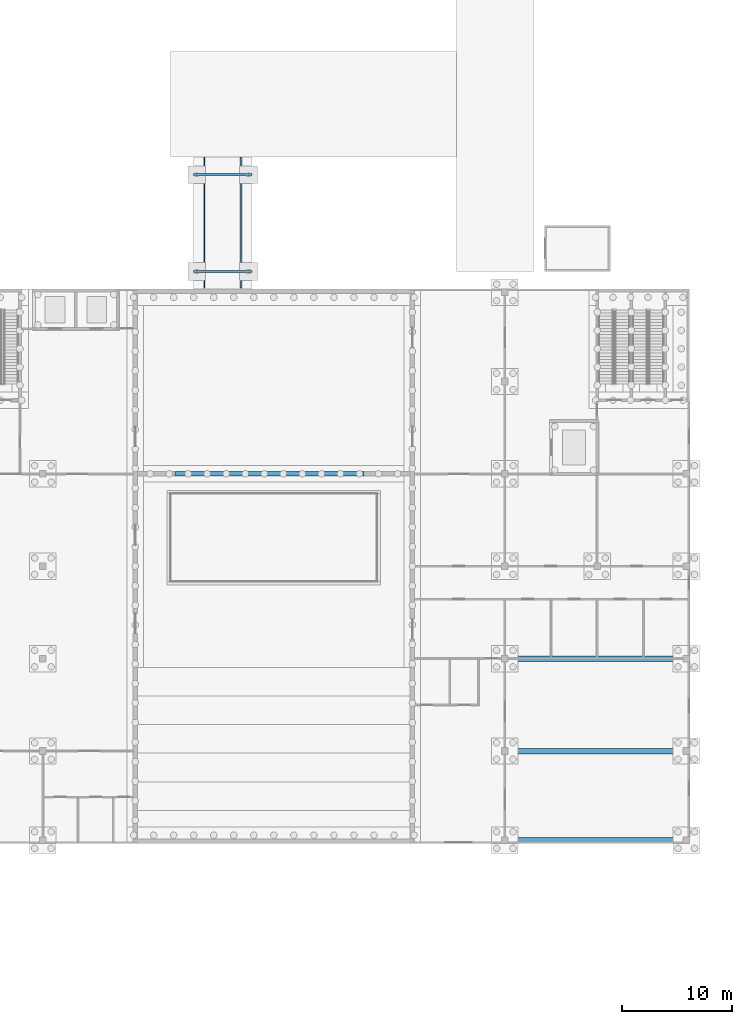
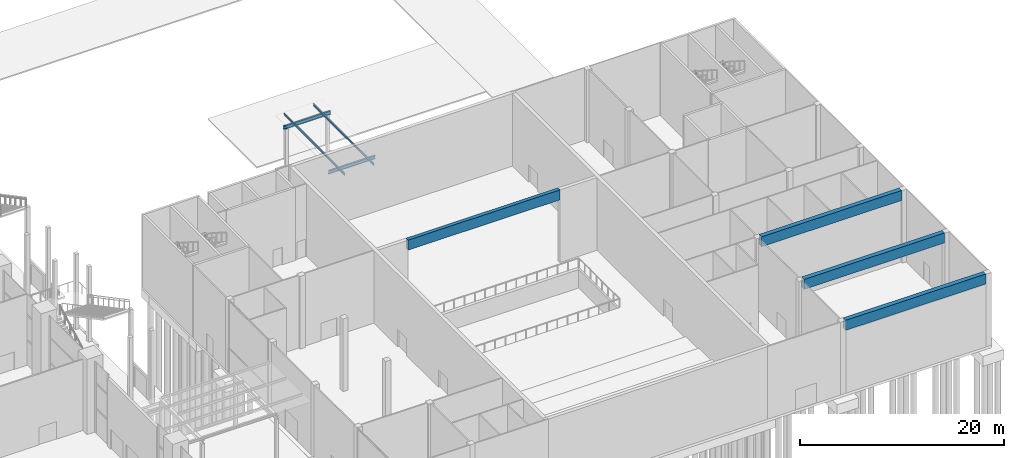
# One storey, part 25 of 72: 8 beams.
"""IFC4 building model written with IfcOpenShell, lengths in metres."""

import ifcopenshell
import ifcopenshell.guid

model = None  # the IFC model being written
_history = None  # IfcOwnerHistory: only IFC2X3 demands one
_inside = {}  # id of a spatial element -> (the spatial element, [elements in it])
_under = {}  # id of a project, library or spatial element -> (it, [spatial elements below it])
_declared = {}  # id of a project -> (the project, [libraries it declares])
_typed = {}  # id of a type object -> (the type object, [elements of that type])
_made_of = {}  # id of a material, layer set ... -> (it, [elements and type objects made of it])


def new_model(schema):
    """Start an empty IFC model of exactly this schema.

    Asked for "IFC4X3", IfcOpenShell would pick the latest addendum, in which some entities
    have other attributes; the version numbers below select the first issue.
    IFC2X3 requires an IfcOwnerHistory on every rooted entity: one is made here for all.
    """
    global model, _history
    if schema == "IFC4X3":
        model = ifcopenshell.file(schema_version=(4, 3, 0, 0))
    else:
        model = ifcopenshell.file(schema=schema)
    _inside.clear()
    _under.clear()
    _declared.clear()
    _typed.clear()
    _made_of.clear()
    _history = None
    if model.schema == "IFC2X3":
        org = make("IfcOrganization", Name="unknown")
        user = make(
            "IfcPersonAndOrganization",
            ThePerson=make("IfcPerson", FamilyName="unknown"),
            TheOrganization=org,
        )
        app = make(
            "IfcApplication",
            ApplicationDeveloper=org,
            Version="unknown",
            ApplicationFullName="unknown",
            ApplicationIdentifier="unknown",
        )
        _history = make(
            "IfcOwnerHistory",
            OwningUser=user,
            OwningApplication=app,
            ChangeAction="ADDED",
            CreationDate=0,
        )
    return model


def make(cls, **values):
    """One entity of the class cls with the attributes given. An attribute that is None is left unset."""
    return model.create_entity(
        cls, **{name: value for name, value in values.items() if value is not None}
    )


def rooted(cls, **values):
    """An entity with a GlobalId (a new one), such as an element, a storey or a relation."""
    return make(cls, GlobalId=ifcopenshell.guid.new(), OwnerHistory=_history, **values)


def si_unit(unit_type, name, prefix=None):
    """IfcSIUnit, for example si_unit("LENGTHUNIT", "METRE", prefix="MILLI")."""
    return make("IfcSIUnit", UnitType=unit_type, Prefix=prefix, Name=name)


def assignment(units):
    """IfcUnitAssignment: the units of a project."""
    return None if units is None else make("IfcUnitAssignment", Units=units)


def point(xyz):
    """IfcCartesianPoint."""
    return None if xyz is None else make("IfcCartesianPoint", Coordinates=xyz)


def direction(xyz):
    """IfcDirection."""
    return None if xyz is None else make("IfcDirection", DirectionRatios=xyz)


def frame(location, z_axis=None, x_axis=None):
    """IfcAxis2Placement3D, a coordinate frame: its origin and axes. An axis left out is left unset."""
    return make(
        "IfcAxis2Placement3D",
        Location=point(location),
        Axis=direction(z_axis),
        RefDirection=direction(x_axis),
    )


def frame_2d(location, x_axis=None):
    """IfcAxis2Placement2D, a coordinate frame in the plane: its origin and x axis."""
    return make(
        "IfcAxis2Placement2D", Location=point(location), RefDirection=direction(x_axis)
    )


def origin():
    """The frame at (0, 0, 0) with its axes left unset."""
    return frame((0.0, 0.0, 0.0))


def origin_2d():
    """The frame at (0, 0) in the plane with its x axis left unset."""
    return frame_2d((0.0, 0.0))


def place(relative_to, where):
    """IfcLocalPlacement: puts the frame where relative to a parent placement (None: the world)."""
    return make(
        "IfcLocalPlacement", PlacementRelTo=relative_to, RelativePlacement=where
    )


def context(
    kind, dimensions, precision=None, world=None, true_north=None, identifier=None
):
    """IfcGeometricRepresentationContext, for example the 3D "Model" context."""
    return make(
        "IfcGeometricRepresentationContext",
        ContextIdentifier=identifier,
        ContextType=kind,
        CoordinateSpaceDimension=dimensions,
        Precision=precision,
        WorldCoordinateSystem=world,
        TrueNorth=true_north,
    )


def subcontext(parent, identifier, kind, view, scale=None):
    """IfcGeometricRepresentationSubContext, for example "Body" below "Model"."""
    return make(
        "IfcGeometricRepresentationSubContext",
        ContextIdentifier=identifier,
        ContextType=kind,
        ParentContext=parent,
        TargetScale=scale,
        TargetView=view,
    )


def project(units=None, contexts=None):
    """IfcProject with its units and contexts."""
    return rooted(
        "IfcProject",
        Name="project",
        RepresentationContexts=contexts,
        UnitsInContext=assignment(units),
    )


def spatial(cls, under=None, at=None, **own):
    """A site, building, storey or space (cls), placed at a placement, below another one or the project."""
    s = rooted(cls, ObjectPlacement=at, **own)
    if under is not None:
        _under.setdefault(under.id(), (under, []))[1].append(s)
    return s


def profile(cls, at=None, kind="AREA", **sizes):
    """A parametric profile (cls). Its sizes go by their IFC names, for example OverallWidth=200.0."""
    return make(cls, ProfileType=kind, Position=at, **sizes)


def rectangle(**sizes):
    """IfcRectangleProfileDef."""
    return profile("IfcRectangleProfileDef", **sizes)


def i_section(**sizes):
    """IfcIShapeProfileDef."""
    return profile("IfcIShapeProfileDef", **sizes)


def extrude(swept, where, along, depth):
    """IfcExtrudedAreaSolid: the profile swept, set in the frame where, extruded along a direction by depth."""
    return make(
        "IfcExtrudedAreaSolid",
        SweptArea=swept,
        Position=where,
        ExtrudedDirection=direction(along),
        Depth=depth,
    )


def shape(context_of_items, identifier, shape_type, items):
    """IfcShapeRepresentation: the items that make up one representation, for example the "Body"."""
    return make(
        "IfcShapeRepresentation",
        ContextOfItems=context_of_items,
        RepresentationIdentifier=identifier,
        RepresentationType=shape_type,
        Items=items,
    )


def material(Name=None, Category=None):
    """IfcMaterial."""
    return make("IfcMaterial", Name=Name, Category=Category)


def material_profile(
    of_material, cross_section, Name=None, Category=None, Priority=None
):
    """IfcMaterialProfile: a cross section and its material."""
    return make(
        "IfcMaterialProfile",
        Name=Name,
        Material=of_material,
        Profile=cross_section,
        Priority=Priority,
        Category=Category,
    )


def profile_set(profiles, Name=None, composite=None):
    """IfcMaterialProfileSet."""
    return make(
        "IfcMaterialProfileSet",
        Name=Name,
        MaterialProfiles=profiles,
        CompositeProfile=composite,
    )


def made_of(thing, what):
    """Note that an element or type object is made of a material, layer set ...; save() writes the relation."""
    if what is not None:
        _made_of.setdefault(what.id(), (what, []))[1].append(thing)
    return thing


def type_object(cls, material=None, **own):
    """A type object (cls), such as IfcWallType, which elements share."""
    return made_of(rooted(cls, **own), material)


def element(
    cls,
    number,
    at=None,
    inside=None,
    cuts=None,
    type_object=None,
    material=None,
    context=None,
    identifier="Body",
    shape_type=None,
    held_by="IfcProductDefinitionShape",
    body=None,
    shapes=None,
    **own,
):
    """One element of the class cls, such as IfcWall. Its Tag is "e" and its number.

    at: its placement. inside: the storey or other place that contains it. cuts: it is an
    opening in that element (IfcRelVoidsElement). A single representation is given by context,
    identifier, shape_type and body (its items); several are given by shapes. held_by: the class
    of the entity that holds the representations. save() writes the other relations.
    """
    e = rooted(cls, Tag="e%d" % number, ObjectPlacement=at, **own)
    if body is not None:
        shapes = [shape(context, identifier, shape_type, body)]
    if shapes is not None:
        e.Representation = make(held_by, Representations=shapes)
    if inside is not None:
        _inside.setdefault(inside.id(), (inside, []))[1].append(e)
    if cuts is not None:
        rooted(
            "IfcRelVoidsElement", RelatingBuildingElement=cuts, RelatedOpeningElement=e
        )
    if type_object is not None:
        _typed.setdefault(type_object.id(), (type_object, []))[1].append(e)
    return made_of(e, material)


def aggregate(whole, parts):
    """IfcRelAggregates: a whole, such as a stair, and the parts it consists of."""
    return rooted("IfcRelAggregates", RelatingObject=whole, RelatedObjects=parts)


def save(model, path):
    """Write the relations noted so far, then the file.

    IfcRelAggregates (storeys below a building ...), IfcRelContainedInSpatialStructure (elements
    in a storey), IfcRelDefinesByType, IfcRelAssociatesMaterial and IfcRelDeclares: one each for
    every whole, place, type object, material and project.
    """
    for whole, parts in _under.values():
        aggregate(whole, parts)
    for where, things in _inside.values():
        rooted(
            "IfcRelContainedInSpatialStructure",
            RelatedElements=things,
            RelatingStructure=where,
        )
    for kind, things in _typed.values():
        rooted("IfcRelDefinesByType", RelatedObjects=things, RelatingType=kind)
    for what, things in _made_of.values():
        rooted("IfcRelAssociatesMaterial", RelatedObjects=things, RelatingMaterial=what)
    for by, libraries in _declared.values():
        rooted("IfcRelDeclares", RelatingContext=by, RelatedDefinitions=libraries)
    model.write(path)


model = new_model("IFC4")

# Units and contexts
model_context = context("Model", 3, precision=1e-05, world=origin(), true_north=direction((0.0, 1.0)))
body_context = subcontext(model_context, "Body", "Model", "MODEL_VIEW")
ifc_project = project(units=[si_unit("LENGTHUNIT", "METRE"), si_unit("AREAUNIT", "SQUARE_METRE"), si_unit("VOLUMEUNIT", "CUBIC_METRE"), si_unit("PLANEANGLEUNIT", "RADIAN"), si_unit("MASSUNIT", "GRAM", prefix="KILO")], contexts=[model_context])

# Site, building, storey
site_placement = place(None, origin())
site = spatial("IfcSite", under=ifc_project, at=site_placement, CompositionType="ELEMENT")
building_placement = place(site_placement, origin())
building = spatial("IfcBuilding", under=site, at=building_placement, Name="Candeia Pilgrim Tower and Theatre", CompositionType="ELEMENT")
storey_placement = place(building_placement, origin())
storey = spatial("IfcBuildingStorey", under=building, at=storey_placement, Name="L00", CompositionType="ELEMENT", Elevation=0.0)

# Beams
ifc_material_1 = material(Name="Steel S355", Category="steel")
ifc_material_profile_1 = material_profile(ifc_material_1, i_section(OverallWidth=0.1201171875, OverallDepth=0.239990234375, WebThickness=0.006103515625, FlangeThickness=0.009765625, at=origin_2d()))
ifc_profile_set_1 = profile_set([ifc_material_profile_1], Name="Steel S355")
beam_type_1 = type_object("IfcBeamType", Name="Arcade purlin IPE 240", PredefinedType="BEAM", material=ifc_profile_set_1)
for number, where, z_axis, x_axis, name in (
    (1, (199.10009765625, 116.5, 5.280029296875), (0.0, 1.0, 0.0), (-1.0, 0.0, 0.0), "Loading canopy purlin 1"),
    (2, (202.39990234375, 116.5, 5.280029296875), (0.0, 1.0, 0.0), (-1.0, 0.0, 0.0), "Loading canopy purlin 2"),
):
    element("IfcBeam", number, at=place(storey_placement, frame(where, z_axis=z_axis, x_axis=x_axis)), inside=storey, type_object=beam_type_1, Name=name, PredefinedType="BEAM", context=body_context, shape_type="SweptSolid", body=[
        extrude(i_section(OverallWidth=0.1201171875, OverallDepth=0.239990234375, WebThickness=0.006103515625, FlangeThickness=0.009765625, at=origin_2d()), origin(), (0.0, 0.0, 1.0), 11.89990234375),
    ])
ifc_material_profile_2 = material_profile(ifc_material_1, i_section(OverallWidth=0.179931640625, OverallDepth=0.39990234375, WebThickness=0.008544921875, FlangeThickness=0.013427734375, at=origin_2d()))
ifc_profile_set_2 = profile_set([ifc_material_profile_2], Name="Steel S355")
beam_type_2 = type_object("IfcBeamType", Name="Canopy beam IPE 400", PredefinedType="BEAM", material=ifc_profile_set_2)
for number, where, z_axis, x_axis, name in (
    (3, (198.10009765625, 118.0, 4.9599609375), (1.0, 0.0, 0.0), (0.0, 1.0, 0.0), "Loading canopy beam 1"),
    (4, (198.10009765625, 126.800048828125, 4.9599609375), (1.0, 0.0, 0.0), (0.0, 1.0, 0.0), "Loading canopy beam 2"),
):
    element("IfcBeam", number, at=place(storey_placement, frame(where, z_axis=z_axis, x_axis=x_axis)), inside=storey, type_object=beam_type_2, Name=name, PredefinedType="BEAM", context=body_context, shape_type="SweptSolid", body=[
        extrude(i_section(OverallWidth=0.179931640625, OverallDepth=0.39990234375, WebThickness=0.008544921875, FlangeThickness=0.013427734375, at=origin_2d()), origin(), (0.0, 0.0, 1.0), 5.2998046875),
    ])
ifc_material_2 = material(Name="Concrete C35/45", Category="concrete")
ifc_material_profile_3 = material_profile(ifc_material_2, rectangle(XDim=0.39990234375, YDim=1.199951171875, at=origin_2d()))
ifc_profile_set_3 = profile_set([ifc_material_profile_3], Name="Concrete C35/45")
beam_type_3 = type_object("IfcBeamType", Name="Theatre beam 400x1200", PredefinedType="BEAM", material=ifc_profile_set_3)
beam_placement = place(storey_placement, frame((196.39990234375, 99.60009765625, 8.10009765625), z_axis=(1.0, 0.0, 0.0), x_axis=(0.0, 1.0, 0.0)))
element("IfcBeam", 5, at=beam_placement, inside=storey, type_object=beam_type_3, Name="Proscenium beam", PredefinedType="BEAM", context=body_context, shape_type="SweptSolid", body=[
    extrude(rectangle(XDim=0.39990234375, YDim=1.199951171875, at=origin_2d()), origin(), (0.0, 0.0, 1.0), 17.2001953125),
])
ifc_material_profile_4 = material_profile(ifc_material_2, rectangle(XDim=0.5, YDim=1.199951171875, at=origin_2d()))
ifc_profile_set_4 = profile_set([ifc_material_profile_4], Name="Concrete C35/45")
beam_type_4 = type_object("IfcBeamType", Name="Theatre beam 500x1200", PredefinedType="BEAM", material=ifc_profile_set_4)
for number, where, z_axis, x_axis, name in (
    (6, (226.699951171875, 66.300048828125, 8.10009765625), (1.0, 0.0, 0.0), (0.0, 1.0, 0.0), "Studio beam L00 66"),
    (7, (226.699951171875, 74.39990234375, 8.10009765625), (1.0, 0.0, 0.0), (0.0, 1.0, 0.0), "Studio beam L00 74"),
    (8, (226.699951171875, 82.800048828125, 8.10009765625), (1.0, 0.0, 0.0), (0.0, 1.0, 0.0), "Studio beam L00 82"),
):
    element("IfcBeam", number, at=place(storey_placement, frame(where, z_axis=z_axis, x_axis=x_axis)), inside=storey, type_object=beam_type_4, Name=name, PredefinedType="BEAM", context=body_context, shape_type="SweptSolid", body=[
        extrude(rectangle(XDim=0.5, YDim=1.199951171875, at=origin_2d()), origin(), (0.0, 0.0, 1.0), 15.900146484375),
    ])

save(model, "model.ifc")
